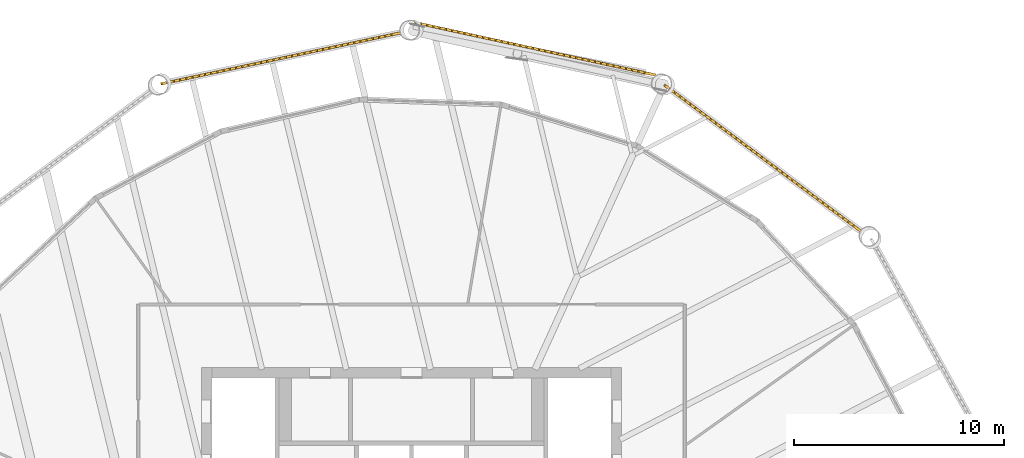
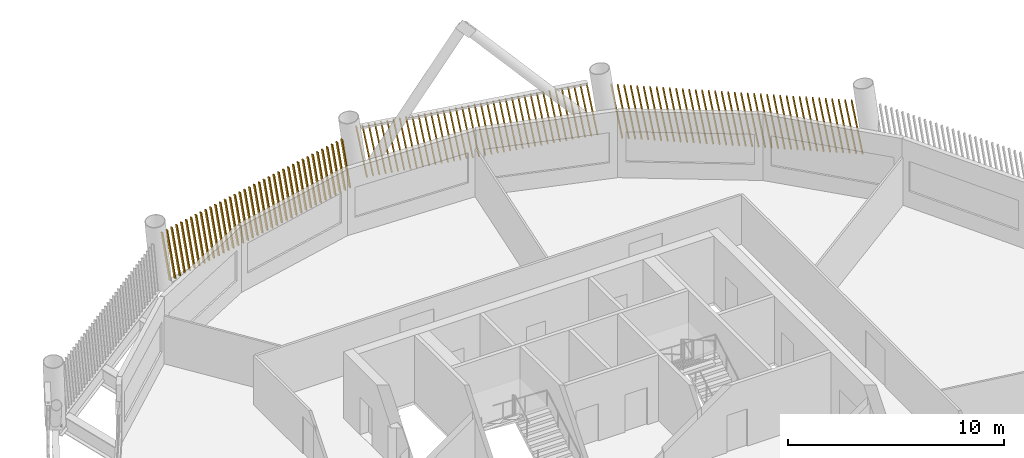
# One storey, part 21 of 22: 3 shading devices.
"""IFC4 building model written with IfcOpenShell, lengths in metres."""

from ifc_helpers import new_model, si_unit, direction, frame, frame_2d, origin, place, context, subcontext, project, spatial, rectangle, composite_profile, extrude, material, type_object, element, save


model = new_model("IFC4")

# Units and contexts
model_context = context("Model", 3, precision=1e-05, world=origin(), true_north=direction((0.0, 1.0)))
body_context = subcontext(model_context, "Body", "Model", "MODEL_VIEW")
ifc_project = project(units=[si_unit("LENGTHUNIT", "METRE"), si_unit("AREAUNIT", "SQUARE_METRE"), si_unit("VOLUMEUNIT", "CUBIC_METRE"), si_unit("PLANEANGLEUNIT", "RADIAN"), si_unit("MASSUNIT", "GRAM", prefix="KILO")], contexts=[model_context])

# Site, building, storey
site_placement = place(None, origin())
site = spatial("IfcSite", under=ifc_project, at=site_placement, CompositionType="ELEMENT")
building_placement = place(site_placement, origin())
building = spatial("IfcBuilding", under=site, at=building_placement, Name="Tarsis Ring Headquarters", CompositionType="ELEMENT")
storey_placement = place(building_placement, frame((0.0, 0.0, 339.199951171875)))
storey = spatial("IfcBuildingStorey", under=building, at=storey_placement, Name="L80", CompositionType="ELEMENT", Elevation=339.199951171875)

# Shading devices
ifc_material = material(Name="Terracotta baguette", Category="masonry")
shading_device_type = type_object("IfcShadingDeviceType", Name="Terracotta baguette screen", PredefinedType="USERDEFINED", material=ifc_material)
shading_device_1_placement = place(storey_placement, frame((21.462890625, 19.423828125, 0.0), z_axis=(0.0, 0.0, 1.0), x_axis=(-0.802278893109, 0.596939772111, 0.0)))
element("IfcShadingDevice", 1, at=shading_device_1_placement, inside=storey, type_object=shading_device_type, Name="Baguette screen L80-10", ObjectType="Terracotta baguette screen", PredefinedType="USERDEFINED", context=body_context, shape_type="SweptSolid", body=[
    extrude(composite_profile([rectangle(XDim=0.06005859375, YDim=0.1201171875, at=frame_2d((0.030029296875, 0.0))), rectangle(XDim=0.06005859375, YDim=0.1201171875, at=frame_2d((0.33251953125, 0.0))), rectangle(XDim=0.06005859375, YDim=0.1201171875, at=frame_2d((0.634765625, 0.0))), rectangle(XDim=0.06005859375, YDim=0.1201171875, at=frame_2d((0.937255859375, 0.0))), rectangle(XDim=0.06005859375, YDim=0.1201171875, at=frame_2d((1.239501953125, 0.0))), rectangle(XDim=0.06005859375, YDim=0.1201171875, at=frame_2d((1.5419921875, 0.0))), rectangle(XDim=0.06005859375, YDim=0.1201171875, at=frame_2d((1.844482421875, 0.0))), rectangle(XDim=0.06005859375, YDim=0.1201171875, at=frame_2d((2.146728515625, 0.0))), rectangle(XDim=0.06005859375, YDim=0.1201171875, at=frame_2d((2.44921875, 0.0))), rectangle(XDim=0.06005859375, YDim=0.1201171875, at=frame_2d((2.751708984375, 0.0))), rectangle(XDim=0.06005859375, YDim=0.1201171875, at=frame_2d((3.053955078125, 0.0))), rectangle(XDim=0.06005859375, YDim=0.1201171875, at=frame_2d((3.3564453125, 0.0))), rectangle(XDim=0.06005859375, YDim=0.1201171875, at=frame_2d((3.65869140625, 0.0))), rectangle(XDim=0.06005859375, YDim=0.1201171875, at=frame_2d((3.961181640625, 0.0))), rectangle(XDim=0.06005859375, YDim=0.1201171875, at=frame_2d((4.263671875, 0.0))), rectangle(XDim=0.06005859375, YDim=0.1201171875, at=frame_2d((4.56591796875, 0.0))), rectangle(XDim=0.06005859375, YDim=0.1201171875, at=frame_2d((4.868408203125, 0.0))), rectangle(XDim=0.06005859375, YDim=0.1201171875, at=frame_2d((5.1708984375, 0.0))), rectangle(XDim=0.06005859375, YDim=0.1201171875, at=frame_2d((5.47314453125, 0.0))), rectangle(XDim=0.06005859375, YDim=0.1201171875, at=frame_2d((5.775634765625, 0.0))), rectangle(XDim=0.06005859375, YDim=0.1201171875, at=frame_2d((6.077880859375, 0.0))), rectangle(XDim=0.06005859375, YDim=0.1201171875, at=frame_2d((6.38037109375, 0.0))), rectangle(XDim=0.06005859375, YDim=0.1201171875, at=frame_2d((6.682861328125, 0.0))), rectangle(XDim=0.06005859375, YDim=0.1201171875, at=frame_2d((6.985107421875, 0.0))), rectangle(XDim=0.06005859375, YDim=0.1201171875, at=frame_2d((7.28759765625, 0.0))), rectangle(XDim=0.06005859375, YDim=0.1201171875, at=frame_2d((7.590087890625, 0.0))), rectangle(XDim=0.06005859375, YDim=0.1201171875, at=frame_2d((7.892333984375, 0.0))), rectangle(XDim=0.06005859375, YDim=0.1201171875, at=frame_2d((8.19482421875, 0.0))), rectangle(XDim=0.06005859375, YDim=0.1201171875, at=frame_2d((8.4970703125, 0.0))), rectangle(XDim=0.06005859375, YDim=0.1201171875, at=frame_2d((8.799560546875, 0.0))), rectangle(XDim=0.06005859375, YDim=0.1201171875, at=frame_2d((9.10205078125, 0.0))), rectangle(XDim=0.06005859375, YDim=0.1201171875, at=frame_2d((9.404296875, 0.0))), rectangle(XDim=0.06005859375, YDim=0.1201171875, at=frame_2d((9.706787109375, 0.0))), rectangle(XDim=0.06005859375, YDim=0.1201171875, at=frame_2d((10.00927734375, 0.0))), rectangle(XDim=0.06005859375, YDim=0.1201171875, at=frame_2d((10.3115234375, 0.0))), rectangle(XDim=0.06005859375, YDim=0.1201171875, at=frame_2d((10.614013671875, 0.0))), rectangle(XDim=0.06005859375, YDim=0.1201171875, at=frame_2d((10.916259765625, 0.0))), rectangle(XDim=0.06005859375, YDim=0.1201171875, at=frame_2d((11.21875, 0.0)))]), origin(), (0.171100616432, 0.001553188905, 0.985252336542), 3.01220703125),
])
shading_device_2_placement = place(storey_placement, frame((11.62841796875, 26.91015625, 0.0), z_axis=(0.0, 0.0, 1.0), x_axis=(-0.977015735214, 0.213174172545, 0.0)))
element("IfcShadingDevice", 2, at=shading_device_2_placement, inside=storey, type_object=shading_device_type, Name="Baguette screen L80-11", ObjectType="Terracotta baguette screen", PredefinedType="USERDEFINED", context=body_context, shape_type="SweptSolid", body=[
    extrude(composite_profile([rectangle(XDim=0.06005859375, YDim=0.1201171875, at=frame_2d((0.030029296875, 0.0))), rectangle(XDim=0.06005859375, YDim=0.1201171875, at=frame_2d((0.33251953125, 0.0))), rectangle(XDim=0.06005859375, YDim=0.1201171875, at=frame_2d((0.634765625, 0.0))), rectangle(XDim=0.06005859375, YDim=0.1201171875, at=frame_2d((0.937255859375, 0.0))), rectangle(XDim=0.06005859375, YDim=0.1201171875, at=frame_2d((1.239501953125, 0.0))), rectangle(XDim=0.06005859375, YDim=0.1201171875, at=frame_2d((1.5419921875, 0.0))), rectangle(XDim=0.06005859375, YDim=0.1201171875, at=frame_2d((1.844482421875, 0.0))), rectangle(XDim=0.06005859375, YDim=0.1201171875, at=frame_2d((2.146728515625, 0.0))), rectangle(XDim=0.06005859375, YDim=0.1201171875, at=frame_2d((2.44921875, 0.0))), rectangle(XDim=0.06005859375, YDim=0.1201171875, at=frame_2d((2.751708984375, 0.0))), rectangle(XDim=0.06005859375, YDim=0.1201171875, at=frame_2d((3.053955078125, 0.0))), rectangle(XDim=0.06005859375, YDim=0.1201171875, at=frame_2d((3.3564453125, 0.0))), rectangle(XDim=0.06005859375, YDim=0.1201171875, at=frame_2d((3.65869140625, 0.0))), rectangle(XDim=0.06005859375, YDim=0.1201171875, at=frame_2d((3.961181640625, 0.0))), rectangle(XDim=0.06005859375, YDim=0.1201171875, at=frame_2d((4.263671875, 0.0))), rectangle(XDim=0.06005859375, YDim=0.1201171875, at=frame_2d((4.56591796875, 0.0))), rectangle(XDim=0.06005859375, YDim=0.1201171875, at=frame_2d((4.868408203125, 0.0))), rectangle(XDim=0.06005859375, YDim=0.1201171875, at=frame_2d((5.1708984375, 0.0))), rectangle(XDim=0.06005859375, YDim=0.1201171875, at=frame_2d((5.47314453125, 0.0))), rectangle(XDim=0.06005859375, YDim=0.1201171875, at=frame_2d((5.775634765625, 0.0))), rectangle(XDim=0.06005859375, YDim=0.1201171875, at=frame_2d((6.077880859375, 0.0))), rectangle(XDim=0.06005859375, YDim=0.1201171875, at=frame_2d((6.38037109375, 0.0))), rectangle(XDim=0.06005859375, YDim=0.1201171875, at=frame_2d((6.682861328125, 0.0))), rectangle(XDim=0.06005859375, YDim=0.1201171875, at=frame_2d((6.985107421875, 0.0))), rectangle(XDim=0.06005859375, YDim=0.1201171875, at=frame_2d((7.28759765625, 0.0))), rectangle(XDim=0.06005859375, YDim=0.1201171875, at=frame_2d((7.590087890625, 0.0))), rectangle(XDim=0.06005859375, YDim=0.1201171875, at=frame_2d((7.892333984375, 0.0))), rectangle(XDim=0.06005859375, YDim=0.1201171875, at=frame_2d((8.19482421875, 0.0))), rectangle(XDim=0.06005859375, YDim=0.1201171875, at=frame_2d((8.4970703125, 0.0))), rectangle(XDim=0.06005859375, YDim=0.1201171875, at=frame_2d((8.799560546875, 0.0))), rectangle(XDim=0.06005859375, YDim=0.1201171875, at=frame_2d((9.10205078125, 0.0))), rectangle(XDim=0.06005859375, YDim=0.1201171875, at=frame_2d((9.404296875, 0.0))), rectangle(XDim=0.06005859375, YDim=0.1201171875, at=frame_2d((9.706787109375, 0.0))), rectangle(XDim=0.06005859375, YDim=0.1201171875, at=frame_2d((10.00927734375, 0.0))), rectangle(XDim=0.06005859375, YDim=0.1201171875, at=frame_2d((10.3115234375, 0.0))), rectangle(XDim=0.06005859375, YDim=0.1201171875, at=frame_2d((10.614013671875, 0.0))), rectangle(XDim=0.06005859375, YDim=0.1201171875, at=frame_2d((10.916259765625, 0.0))), rectangle(XDim=0.06005859375, YDim=0.1201171875, at=frame_2d((11.21875, 0.0)))]), origin(), (0.173294169816, 0.001571642834, 0.984868854542), 3.013427734375),
])
shading_device_3_placement = place(storey_placement, frame((-0.419189453125, 28.944091796875, 0.0), z_axis=(0.0, 0.0, 1.0), x_axis=(-0.978035811177, -0.208486163863, 0.0)))
element("IfcShadingDevice", 3, at=shading_device_3_placement, inside=storey, type_object=shading_device_type, Name="Baguette screen L80-12", ObjectType="Terracotta baguette screen", PredefinedType="USERDEFINED", context=body_context, shape_type="SweptSolid", body=[
    extrude(composite_profile([rectangle(XDim=0.06005859375, YDim=0.1201171875, at=frame_2d((0.030029296875, 0.0))), rectangle(XDim=0.06005859375, YDim=0.1201171875, at=frame_2d((0.33251953125, 0.0))), rectangle(XDim=0.06005859375, YDim=0.1201171875, at=frame_2d((0.634765625, 0.0))), rectangle(XDim=0.06005859375, YDim=0.1201171875, at=frame_2d((0.937255859375, 0.0))), rectangle(XDim=0.06005859375, YDim=0.1201171875, at=frame_2d((1.239501953125, 0.0))), rectangle(XDim=0.06005859375, YDim=0.1201171875, at=frame_2d((1.5419921875, 0.0))), rectangle(XDim=0.06005859375, YDim=0.1201171875, at=frame_2d((1.844482421875, 0.0))), rectangle(XDim=0.06005859375, YDim=0.1201171875, at=frame_2d((2.146728515625, 0.0))), rectangle(XDim=0.06005859375, YDim=0.1201171875, at=frame_2d((2.44921875, 0.0))), rectangle(XDim=0.06005859375, YDim=0.1201171875, at=frame_2d((2.751708984375, 0.0))), rectangle(XDim=0.06005859375, YDim=0.1201171875, at=frame_2d((3.053955078125, 0.0))), rectangle(XDim=0.06005859375, YDim=0.1201171875, at=frame_2d((3.3564453125, 0.0))), rectangle(XDim=0.06005859375, YDim=0.1201171875, at=frame_2d((3.65869140625, 0.0))), rectangle(XDim=0.06005859375, YDim=0.1201171875, at=frame_2d((3.961181640625, 0.0))), rectangle(XDim=0.06005859375, YDim=0.1201171875, at=frame_2d((4.263671875, 0.0))), rectangle(XDim=0.06005859375, YDim=0.1201171875, at=frame_2d((4.56591796875, 0.0))), rectangle(XDim=0.06005859375, YDim=0.1201171875, at=frame_2d((4.868408203125, 0.0))), rectangle(XDim=0.06005859375, YDim=0.1201171875, at=frame_2d((5.1708984375, 0.0))), rectangle(XDim=0.06005859375, YDim=0.1201171875, at=frame_2d((5.47314453125, 0.0))), rectangle(XDim=0.06005859375, YDim=0.1201171875, at=frame_2d((5.775634765625, 0.0))), rectangle(XDim=0.06005859375, YDim=0.1201171875, at=frame_2d((6.077880859375, 0.0))), rectangle(XDim=0.06005859375, YDim=0.1201171875, at=frame_2d((6.38037109375, 0.0))), rectangle(XDim=0.06005859375, YDim=0.1201171875, at=frame_2d((6.682861328125, 0.0))), rectangle(XDim=0.06005859375, YDim=0.1201171875, at=frame_2d((6.985107421875, 0.0))), rectangle(XDim=0.06005859375, YDim=0.1201171875, at=frame_2d((7.28759765625, 0.0))), rectangle(XDim=0.06005859375, YDim=0.1201171875, at=frame_2d((7.590087890625, 0.0))), rectangle(XDim=0.06005859375, YDim=0.1201171875, at=frame_2d((7.892333984375, 0.0))), rectangle(XDim=0.06005859375, YDim=0.1201171875, at=frame_2d((8.19482421875, 0.0))), rectangle(XDim=0.06005859375, YDim=0.1201171875, at=frame_2d((8.4970703125, 0.0))), rectangle(XDim=0.06005859375, YDim=0.1201171875, at=frame_2d((8.799560546875, 0.0))), rectangle(XDim=0.06005859375, YDim=0.1201171875, at=frame_2d((9.10205078125, 0.0))), rectangle(XDim=0.06005859375, YDim=0.1201171875, at=frame_2d((9.404296875, 0.0))), rectangle(XDim=0.06005859375, YDim=0.1201171875, at=frame_2d((9.706787109375, 0.0))), rectangle(XDim=0.06005859375, YDim=0.1201171875, at=frame_2d((10.00927734375, 0.0))), rectangle(XDim=0.06005859375, YDim=0.1201171875, at=frame_2d((10.3115234375, 0.0))), rectangle(XDim=0.06005859375, YDim=0.1201171875, at=frame_2d((10.614013671875, 0.0))), rectangle(XDim=0.06005859375, YDim=0.1201171875, at=frame_2d((10.916259765625, 0.0))), rectangle(XDim=0.06005859375, YDim=0.1201171875, at=frame_2d((11.21875, 0.0)))]), origin(), (0.171103091725, 0.001553713362, 0.985251905848), 3.01220703125),
])

save(model, "model.ifc")
